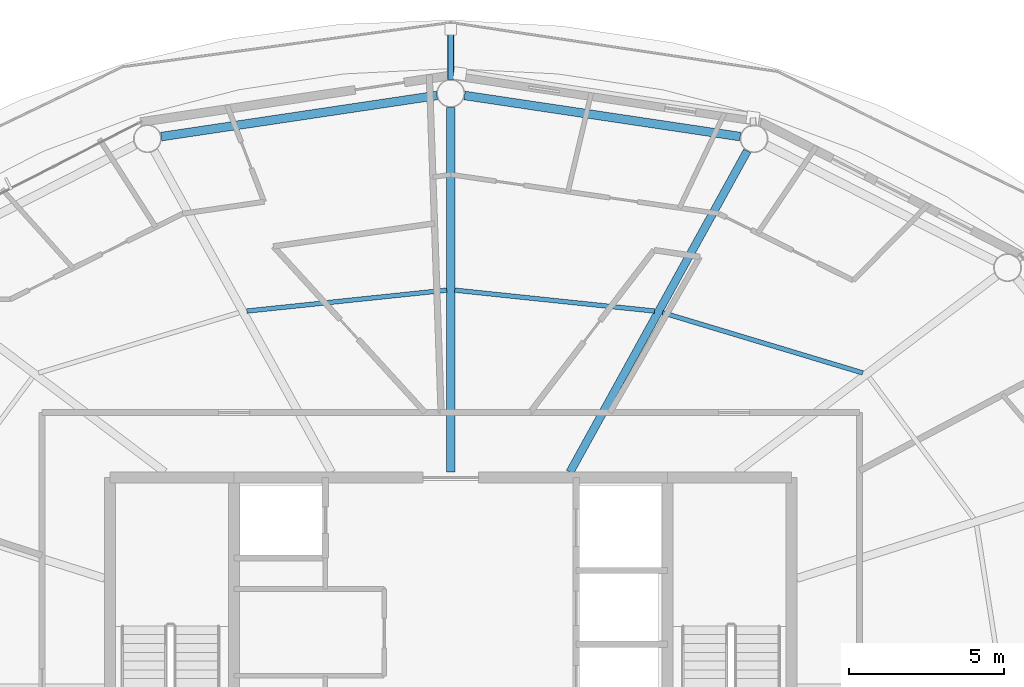
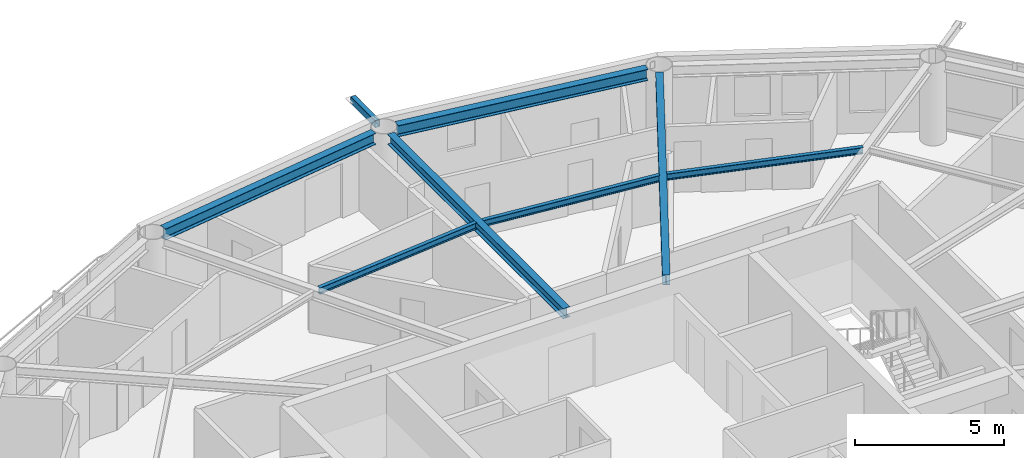
# One storey, part 10 of 22: 7 beams, 1 member.
"""IFC4 building model written with IfcOpenShell, lengths in metres."""

from ifc_helpers import new_model, si_unit, direction, frame, origin, origin_2d, place, context, subcontext, project, spatial, hollow_rectangle, i_section, extrude, material, material_profile, profile_set, type_object, element, save


model = new_model("IFC4")

# Units and contexts
model_context = context("Model", 3, precision=1e-05, world=origin(), true_north=direction((0.0, 1.0)))
body_context = subcontext(model_context, "Body", "Model", "MODEL_VIEW")
ifc_project = project(units=[si_unit("LENGTHUNIT", "METRE"), si_unit("AREAUNIT", "SQUARE_METRE"), si_unit("VOLUMEUNIT", "CUBIC_METRE"), si_unit("PLANEANGLEUNIT", "RADIAN"), si_unit("MASSUNIT", "GRAM", prefix="KILO")], contexts=[model_context])

# Site, building, storey
site_placement = place(None, origin())
site = spatial("IfcSite", under=ifc_project, at=site_placement, CompositionType="ELEMENT")
building_placement = place(site_placement, origin())
building = spatial("IfcBuilding", under=site, at=building_placement, Name="Sarneth Arch Tower", CompositionType="ELEMENT")
storey_placement = place(building_placement, frame((0.0, 0.0, 291.0)))
storey = spatial("IfcBuildingStorey", under=building, at=storey_placement, Name="L75", CompositionType="ELEMENT", Elevation=291.0)

# Beams
ifc_material_1 = material(Name="Steel S355", Category="steel")
ifc_material_profile_1 = material_profile(ifc_material_1, i_section(OverallWidth=0.14794921875, OverallDepth=0.26611328125, WebThickness=0.007568359375, FlangeThickness=0.012939453125, FilletRadius=0.012939453125, at=origin_2d()), Name="W250x44.8")
ifc_profile_set_1 = profile_set([ifc_material_profile_1], Name="Steel S355")
beam_type_1 = type_object("IfcBeamType", Name="BM-JOIST-250", PredefinedType="JOIST", material=ifc_profile_set_1)
beam_1_placement = place(storey_placement, frame((61.301025390625, 52.177490234375, 3.237060546875), z_axis=(-0.95760703602, 0.288077705776, 0.0), x_axis=(-0.288077705776, -0.95760703602, 0.0)))
element("IfcBeam", 1, at=beam_1_placement, inside=storey, type_object=beam_type_1, Name="L75 Secondary floor joist 03", PredefinedType="JOIST", context=body_context, shape_type="SweptSolid", body=[
    extrude(i_section(OverallWidth=0.14794921875, OverallDepth=0.26611328125, WebThickness=0.007568359375, FlangeThickness=0.012939453125, FilletRadius=0.012939453125, at=origin_2d()), origin(), (0.0, 0.0, 1.0), 6.7509765625),
])
for number, where, z_axis, x_axis, name in (
    (2, (54.582275390625, 54.17333984375, 3.237060546875), (-0.994564879221, 0.104118687178, 0.0), (-0.104118687178, -0.994564879221, 0.0), "L75 Secondary floor joist 04"),
    (3, (47.87060546875, 54.848876953125, 3.237060546875), (-0.994564879221, -0.104118687178, 0.0), (0.104118687178, -0.994564879221, 0.0), "L75 Secondary floor joist 05"),
):
    element("IfcBeam", number, at=place(storey_placement, frame(where, z_axis=z_axis, x_axis=x_axis)), inside=storey, type_object=beam_type_1, Name=name, PredefinedType="JOIST", context=body_context, shape_type="SweptSolid", body=[
        extrude(i_section(OverallWidth=0.14794921875, OverallDepth=0.26611328125, WebThickness=0.007568359375, FlangeThickness=0.012939453125, FilletRadius=0.012939453125, at=origin_2d()), origin(), (0.0, 0.0, 1.0), 6.488037109375),
    ])
ifc_material_2 = material(Name="Steel S355", Category="steel")
ifc_material_profile_2 = material_profile(ifc_material_2, i_section(OverallWidth=0.260009765625, OverallDepth=0.4150390625, WebThickness=0.010009765625, FlangeThickness=0.016845703125, FilletRadius=0.01611328125, at=origin_2d()), Name="W410x100")
ifc_profile_set_2 = profile_set([ifc_material_profile_2], Name="Steel S355")
beam_type_2 = type_object("IfcBeamType", Name="BM-RAD-410A", PredefinedType="BEAM", material=ifc_profile_set_2)
beam_2_placement = place(storey_placement, frame((51.849853515625, 48.97509765625, 3.16259765625), z_axis=(0.483229367873, 0.875493790969, 0.0), x_axis=(-0.875493790969, 0.483229367873, 0.0)))
element("IfcBeam", 4, at=beam_2_placement, inside=storey, type_object=beam_type_2, Name="L75 Radial floor girder 04", PredefinedType="BEAM", context=body_context, shape_type="SweptSolid", body=[
    extrude(i_section(OverallWidth=0.260009765625, OverallDepth=0.4150390625, WebThickness=0.010009765625, FlangeThickness=0.016845703125, FilletRadius=0.01611328125, at=origin_2d()), origin(), (0.0, 0.0, 1.0), 11.843994140625),
])
beam_3_placement = place(storey_placement, frame((48.0, 48.97509765625, 3.16259765625), z_axis=(0.0, 1.0, 0.0), x_axis=(-1.0, 0.0, 0.0)))
element("IfcBeam", 5, at=beam_3_placement, inside=storey, type_object=beam_type_2, Name="L75 Radial floor girder 05", PredefinedType="BEAM", context=body_context, shape_type="SweptSolid", body=[
    extrude(i_section(OverallWidth=0.260009765625, OverallDepth=0.4150390625, WebThickness=0.010009765625, FlangeThickness=0.016845703125, FilletRadius=0.01611328125, at=origin_2d()), origin(), (0.0, 0.0, 1.0), 11.77490234375),
])
ifc_material_3 = material(Name="Steel S355", Category="steel")
ifc_material_profile_3 = material_profile(ifc_material_3, i_section(OverallWidth=0.280029296875, OverallDepth=0.462890625, WebThickness=0.0107421875, FlangeThickness=0.017333984375, FilletRadius=0.01806640625, at=origin_2d()), Name="W460x113")
ifc_profile_set_3 = profile_set([ifc_material_profile_3], Name="Steel S355")
beam_type_3 = type_object("IfcBeamType", Name="BM-RAD-460A", PredefinedType="BEAM", material=ifc_profile_set_3)
for number, where, z_axis, x_axis, name in (
    (6, (57.345703125, 59.804931640625, 3.138427734375), (-0.989041765772, 0.147635990052, 0.0), (-0.147635990052, -0.989041765772, 0.0), "L75 Perimeter spandrel beam 04"),
    (7, (47.554931640625, 61.133544921875, 3.138427734375), (-0.989041765772, -0.147635990052, 0.0), (0.147635990052, -0.989041765772, 0.0), "L75 Perimeter spandrel beam 05"),
):
    element("IfcBeam", number, at=place(storey_placement, frame(where, z_axis=z_axis, x_axis=x_axis)), inside=storey, type_object=beam_type_3, Name=name, PredefinedType="BEAM", context=body_context, shape_type="SweptSolid", body=[
        extrude(i_section(OverallWidth=0.280029296875, OverallDepth=0.462890625, WebThickness=0.0107421875, FlangeThickness=0.017333984375, FilletRadius=0.01806640625, at=origin_2d()), origin(), (0.0, 0.0, 1.0), 8.999267578125),
    ])

# Member
ifc_material_4 = material(Name="Steel S355", Category="steel")
ifc_material_profile_4 = material_profile(ifc_material_4, hollow_rectangle(XDim=0.199951171875, YDim=0.300048828125, WallThickness=0.012451171875, InnerFilletRadius=0.018798828125, OuterFilletRadius=0.03125, at=origin_2d()), Name="RHS300x200x12.5")
ifc_profile_set_4 = profile_set([ifc_material_profile_4], Name="Steel S355")
member_type = type_object("IfcMemberType", Name="MEM-CANT-STRUT", PredefinedType="STRUT", material=ifc_profile_set_4)
member_placement = place(storey_placement, frame((48.0, 61.64990234375, 3.2099609375), z_axis=(0.0, 1.0, 0.0), x_axis=(-1.0, 0.0, 0.0)))
element("IfcMember", 8, at=member_placement, inside=storey, type_object=member_type, Name="L75 Balcony cantilever bracket 05", PredefinedType="STRUT", context=body_context, shape_type="SweptSolid", body=[
    extrude(hollow_rectangle(XDim=0.199951171875, YDim=0.300048828125, WallThickness=0.012451171875, InnerFilletRadius=0.018798828125, OuterFilletRadius=0.03125, at=origin_2d()), origin(), (0.0, 0.0, 1.0), 1.6201171875),
])

save(model, "model.ifc")
